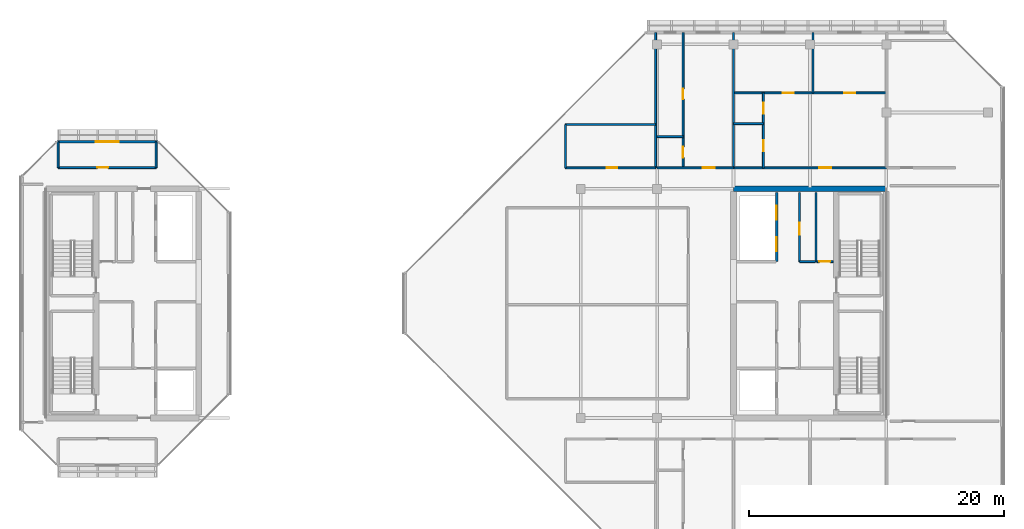
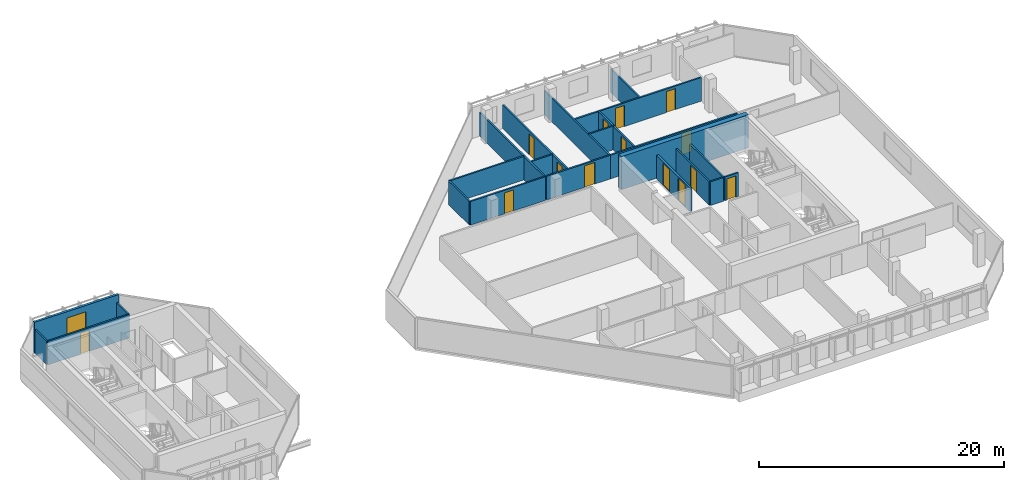
# One storey, part 23 of 28: 23 walls, 14 doors, 1 window, 15 openings.
"""IFC4 building model written with IfcOpenShell, lengths in metres."""

from ifc_helpers import new_model, si_unit, direction, frame, frame_2d, origin, place, context, subcontext, project, spatial, rectangle, extrude, material, layer, layer_set, type_object, element, fill, save


model = new_model("IFC4")

# Units and contexts
model_context = context("Model", 3, precision=1e-05, world=origin(), true_north=direction((0.0, 1.0)))
body_context = subcontext(model_context, "Body", "Model", "MODEL_VIEW")
ifc_project = project(units=[si_unit("LENGTHUNIT", "METRE"), si_unit("AREAUNIT", "SQUARE_METRE"), si_unit("VOLUMEUNIT", "CUBIC_METRE"), si_unit("PLANEANGLEUNIT", "RADIAN"), si_unit("MASSUNIT", "GRAM", prefix="KILO")], contexts=[model_context])

# Site, building, storey
site_placement = place(None, origin())
site = spatial("IfcSite", under=ifc_project, at=site_placement, CompositionType="ELEMENT")
building_placement = place(site_placement, origin())
building = spatial("IfcBuilding", under=site, at=building_placement, Name="Tanjung Sevakor Pilgrim Tower", CompositionType="ELEMENT")
storey_placement = place(building_placement, frame((0.0, 0.0, 239.25)))
storey = spatial("IfcBuildingStorey", under=building, at=storey_placement, Name="L67", CompositionType="ELEMENT", Elevation=239.25)

# Walls
ifc_material_1 = material(Name="Concrete C60/75", Category="concrete")
ifc_layer_1 = layer(ifc_material_1, 0.449951171875)
ifc_layer_set_1 = layer_set([ifc_layer_1], Name="WALL-CW-450")
wall_type_1 = type_object("IfcWallType", Name="WALL-CW-450", PredefinedType="SHEAR", material=ifc_layer_set_1)
wall_1_placement = place(storey_placement, frame((90.0, 42.60009765625, 0.0), z_axis=(0.0, 0.0, 1.0), x_axis=(-1.0, 0.0, 0.0)))
element("IfcWall", 1, at=wall_1_placement, inside=storey, type_object=wall_type_1, Name="L67 E Core North Shear Wall", PredefinedType="SHEAR", context=body_context, shape_type="SweptSolid", body=[
    extrude(rectangle(XDim=12.0, YDim=0.449951171875, at=frame_2d((6.0, 0.0))), origin(), (0.0, 0.0, 1.0), 3.300048828125),
])
ifc_material_2 = material(Name="Concrete C40/50", Category="concrete")
ifc_layer_2 = layer(ifc_material_2, 0.14990234375)
ifc_layer_set_2 = layer_set([ifc_layer_2], Name="WT-COMP-150")
wall_type_2 = type_object("IfcWallType", Name="WT-COMP-150", PredefinedType="SOLIDWALL", material=ifc_layer_set_2)
wall_2_placement = place(storey_placement, frame((84.47998046875, 36.8798828125, 0.0), z_axis=(0.0, 0.0, 1.0), x_axis=(0.0, 1.0, 0.0)))
element("IfcWall", 2, at=wall_2_placement, inside=storey, type_object=wall_type_2, Name="L67 Partition IW-L67-019", PredefinedType="SOLIDWALL", context=body_context, shape_type="SweptSolid", body=[
    extrude(rectangle(XDim=5.420166015625, YDim=0.14990234375, at=frame_2d((2.7099609375, 0.0))), origin(), (0.0, 0.0, 1.0), 2.35009765625),
])

# Wall, opening, door
wall_3_placement = place(storey_placement, frame((84.550048828125, 36.8798828125, 0.0), z_axis=(0.0, 0.0, 1.0), x_axis=(1.0, 0.0, 0.0)))
wall_3 = element("IfcWall", 3, at=wall_3_placement, inside=storey, type_object=wall_type_2, Name="L67 Partition IW-L67-020", PredefinedType="SOLIDWALL", context=body_context, shape_type="SweptSolid", body=[
    extrude(rectangle(XDim=1.280029296875, YDim=0.14990234375, at=frame_2d((0.64013671875, 0.0))), origin(), (0.0, 0.0, 1.0), 2.35009765625),
])
opening_1_placement = place(wall_3_placement, frame((0.179931640625, 0.0, 0.0)))
opening_1 = element("IfcOpeningElement", 4, at=opening_1_placement, cuts=wall_3, Name="Opening ID-FD3", PredefinedType="OPENING", context=body_context, shape_type="SweptSolid", body=[
    extrude(rectangle(XDim=0.85009765625, YDim=2.10009765625, at=frame_2d((0.425048828125, 1.050048828125))), frame((0.0, 0.0849609375, 0.0), z_axis=(0.0, -1.0, 0.0), x_axis=(1.0, 0.0, 0.0)), (0.0, 0.0, 1.0), 0.169921875),
])
ifc_material_3 = material(Name="Fire-Rated Timber", Category="wood")
door_type_1 = type_object("IfcDoorType", Name="DT-FIRE-850", OperationType="NOTDEFINED", PredefinedType="DOOR", material=ifc_material_3)
door_1_placement = place(opening_1_placement, origin())
door_1 = element("IfcDoor", 5, at=door_1_placement, inside=storey, type_object=door_type_1, Name="L67 Service Store Door", OperationType="SINGLE_SWING_LEFT", OverallHeight=2.10009765625, OverallWidth=0.85009765625, PredefinedType="DOOR", context=body_context, shape_type="SweptSolid", body=[
    extrude(rectangle(XDim=0.85009765625, YDim=2.10009765625, at=frame_2d((0.425048828125, 1.050048828125))), frame((0.0, 0.02490234375, 0.0), z_axis=(0.0, -1.0, 0.0), x_axis=(1.0, 0.0, 0.0)), (0.0, 0.0, 1.0), 0.050048828125),
])
fill(opening_1, door_1)

# Wall
wall_4_placement = place(storey_placement, frame((83.199951171875, 36.8798828125, 0.0), z_axis=(0.0, 0.0, 1.0), x_axis=(1.0, 0.0, 0.0)))
element("IfcWall", 6, at=wall_4_placement, inside=storey, type_object=wall_type_2, Name="L67 Partition IW-L67-021", PredefinedType="SOLIDWALL", context=body_context, shape_type="SweptSolid", body=[
    extrude(rectangle(XDim=1.219970703125, YDim=0.14990234375, at=frame_2d((0.60986328125, 0.0))), origin(), (0.0, 0.0, 1.0), 2.35009765625),
])

# Wall, opening, door
wall_5_placement = place(storey_placement, frame((83.179931640625, 36.8798828125, 0.0), z_axis=(0.0, 0.0, 1.0), x_axis=(0.0, 1.0, 0.0)))
wall_5 = element("IfcWall", 7, at=wall_5_placement, inside=storey, type_object=wall_type_2, Name="L67 Partition IW-L67-022", PredefinedType="SOLIDWALL", context=body_context, shape_type="SweptSolid", body=[
    extrude(rectangle(XDim=5.420166015625, YDim=0.14990234375, at=frame_2d((2.7099609375, 0.0))), origin(), (0.0, 0.0, 1.0), 2.35009765625),
])
opening_2_placement = place(wall_5_placement, frame((2.10009765625, 0.0, 0.0)))
opening_2 = element("IfcOpeningElement", 8, at=opening_2_placement, cuts=wall_5, Name="Opening ID-FD2", PredefinedType="OPENING", context=body_context, shape_type="SweptSolid", body=[
    extrude(rectangle(XDim=0.949951171875, YDim=2.14990234375, at=frame_2d((0.47509765625, 1.074951171875))), frame((0.0, 0.0849609375, 0.0), z_axis=(0.0, -1.0, 0.0), x_axis=(1.0, 0.0, 0.0)), (0.0, 0.0, 1.0), 0.169921875),
])
ifc_material_4 = material(Name="Fire-Rated Timber", Category="wood")
door_type_2 = type_object("IfcDoorType", Name="DT-FIRE-950", OperationType="NOTDEFINED", PredefinedType="DOOR", material=ifc_material_4)
door_2_placement = place(opening_2_placement, origin())
door_2 = element("IfcDoor", 9, at=door_2_placement, inside=storey, type_object=door_type_2, Name="L67 Core Reading Room Door", OperationType="SINGLE_SWING_RIGHT", OverallHeight=2.14990234375, OverallWidth=0.949951171875, PredefinedType="DOOR", context=body_context, shape_type="SweptSolid", body=[
    extrude(rectangle(XDim=0.949951171875, YDim=2.14990234375, at=frame_2d((0.47509765625, 1.074951171875))), frame((0.0, 0.02490234375, 0.0), z_axis=(0.0, -1.0, 0.0), x_axis=(1.0, 0.0, 0.0)), (0.0, 0.0, 1.0), 0.050048828125),
])
fill(opening_2, door_2)

wall_6_placement = place(storey_placement, frame((24.949951171875, 44.27001953125, 0.0), z_axis=(0.0, 0.0, 1.0), x_axis=(1.0, 0.0, 0.0)))
wall_6 = element("IfcWall", 10, at=wall_6_placement, inside=storey, type_object=wall_type_2, Name="L67 Partition IW-L67-030", PredefinedType="SOLIDWALL", context=body_context, shape_type="SweptSolid", body=[
    extrude(rectangle(XDim=7.699951171875, YDim=0.14990234375, at=frame_2d((3.85009765625, 0.0))), origin(), (0.0, 0.0, 1.0), 2.35009765625),
])
opening_3_placement = place(wall_6_placement, frame((3.074951171875, 0.0, 0.0)))
opening_3 = element("IfcOpeningElement", 11, at=opening_3_placement, cuts=wall_6, Name="Opening ID-WC1", PredefinedType="OPENING", context=body_context, shape_type="SweptSolid", body=[
    extrude(rectangle(XDim=0.85009765625, YDim=2.10009765625, at=frame_2d((0.425048828125, 1.050048828125))), frame((0.0, 0.0849609375, 0.0), z_axis=(0.0, -1.0, 0.0), x_axis=(1.0, 0.0, 0.0)), (0.0, 0.0, 1.0), 0.169921875),
])
ifc_material_5 = material(Name="Moisture-Resistant Timber", Category="wood")
door_type_3 = type_object("IfcDoorType", Name="DT-INT-850", OperationType="NOTDEFINED", PredefinedType="DOOR", material=ifc_material_5)
door_3_placement = place(opening_3_placement, origin())
door_3 = element("IfcDoor", 12, at=door_3_placement, inside=storey, type_object=door_type_3, Name="L67 West Peak North Observatory Door", OperationType="SINGLE_SWING_LEFT", OverallHeight=2.10009765625, OverallWidth=0.85009765625, PredefinedType="DOOR", context=body_context, shape_type="SweptSolid", body=[
    extrude(rectangle(XDim=0.85009765625, YDim=2.10009765625, at=frame_2d((0.425048828125, 1.050048828125))), frame((0.0, 0.02490234375, 0.0), z_axis=(0.0, -1.0, 0.0), x_axis=(1.0, 0.0, 0.0)), (0.0, 0.0, 1.0), 0.050048828125),
])
fill(opening_3, door_3)

# Walls
for number, where, z_axis, x_axis, name in (
    (13, (24.949951171875, 44.27001953125, 0.0), (0.0, 0.0, 1.0), (0.0, 1.0, 0.0), "L67 Partition IW-L67-031"),
    (14, (32.64990234375, 44.27001953125, 0.0), (0.0, 0.0, 1.0), (0.0, 1.0, 0.0), "L67 Partition IW-L67-032"),
):
    element("IfcWall", number, at=place(storey_placement, frame(where, z_axis=z_axis, x_axis=x_axis)), inside=storey, type_object=wall_type_2, Name=name, PredefinedType="SOLIDWALL", context=body_context, shape_type="SweptSolid", body=[
        extrude(rectangle(XDim=2.010009765625, YDim=0.14990234375, at=frame_2d((1.0048828125, 0.0))), origin(), (0.0, 0.0, 1.0), 2.35009765625),
    ])

# Wall, opening, door
wall_7_placement = place(storey_placement, frame((64.800048828125, 44.25, 0.0), z_axis=(0.0, 0.0, 1.0), x_axis=(1.0, 0.0, 0.0)))
wall_7 = element("IfcWall", 15, at=wall_7_placement, inside=storey, type_object=wall_type_2, Name="L67 Partition IW-L67-037", PredefinedType="SOLIDWALL", context=body_context, shape_type="SweptSolid", body=[
    extrude(rectangle(XDim=7.079833984375, YDim=0.14990234375, at=frame_2d((3.5400390625, 0.0))), origin(), (0.0, 0.0, 1.0), 2.35009765625),
])
opening_4_placement = place(wall_7_placement, frame((3.22509765625, 0.0, 0.0)))
opening_4 = element("IfcOpeningElement", 16, at=opening_4_placement, cuts=wall_7, Name="Opening ID-WC1", PredefinedType="OPENING", context=body_context, shape_type="SweptSolid", body=[
    extrude(rectangle(XDim=0.85009765625, YDim=2.10009765625, at=frame_2d((0.425048828125, 1.050048828125))), frame((0.0, 0.0849609375, 0.0), z_axis=(0.0, -1.0, 0.0), x_axis=(1.0, 0.0, 0.0)), (0.0, 0.0, 1.0), 0.169921875),
])
door_4_placement = place(opening_4_placement, origin())
door_4 = element("IfcDoor", 17, at=door_4_placement, inside=storey, type_object=door_type_3, Name="L67 NW Crown Library Door", OperationType="SINGLE_SWING_LEFT", OverallHeight=2.10009765625, OverallWidth=0.85009765625, PredefinedType="DOOR", context=body_context, shape_type="SweptSolid", body=[
    extrude(rectangle(XDim=0.85009765625, YDim=2.10009765625, at=frame_2d((0.425048828125, 1.050048828125))), frame((0.0, 0.02490234375, 0.0), z_axis=(0.0, -1.0, 0.0), x_axis=(1.0, 0.0, 0.0)), (0.0, 0.0, 1.0), 0.050048828125),
])
fill(opening_4, door_4)

# Walls
wall_8_placement = place(storey_placement, frame((64.800048828125, 47.64990234375, 0.0), z_axis=(0.0, 0.0, 1.0), x_axis=(1.0, 0.0, 0.0)))
element("IfcWall", 18, at=wall_8_placement, inside=storey, type_object=wall_type_2, Name="L67 Partition IW-L67-038", PredefinedType="SOLIDWALL", context=body_context, shape_type="SweptSolid", body=[
    extrude(rectangle(XDim=7.079833984375, YDim=0.14990234375, at=frame_2d((3.5400390625, 0.0))), origin(), (0.0, 0.0, 1.0), 2.35009765625),
])
wall_9_placement = place(storey_placement, frame((64.800048828125, 44.25, 0.0), z_axis=(0.0, 0.0, 1.0), x_axis=(0.0, 1.0, 0.0)))
element("IfcWall", 19, at=wall_9_placement, inside=storey, type_object=wall_type_2, Name="L67 Partition IW-L67-039", PredefinedType="SOLIDWALL", context=body_context, shape_type="SweptSolid", body=[
    extrude(rectangle(XDim=3.39990234375, YDim=0.14990234375, at=frame_2d((1.699951171875, 0.0))), origin(), (0.0, 0.0, 1.0), 2.35009765625),
])
for number, where, z_axis, x_axis, name in (
    (20, (71.8798828125, 44.25, 0.0), (0.0, 0.0, 1.0), (0.0, 1.0, 0.0), "L67 Partition IW-L67-040"),
    (21, (78.0, 44.25, 0.0), (0.0, 0.0, 1.0), (0.0, 1.0, 0.0), "L67 Partition IW-L67-056"),
):
    element("IfcWall", number, at=place(storey_placement, frame(where, z_axis=z_axis, x_axis=x_axis)), inside=storey, type_object=wall_type_2, Name=name, PredefinedType="SOLIDWALL", context=body_context, shape_type="SweptSolid", body=[
        extrude(rectangle(XDim=10.610107421875, YDim=0.14990234375, at=frame_2d((5.30517578125, 0.0))), origin(), (0.0, 0.0, 1.0), 2.35009765625),
    ])

# Wall, opening, door
wall_10_placement = place(storey_placement, frame((72.0, 44.25, 0.0), z_axis=(0.0, 0.0, 1.0), x_axis=(1.0, 0.0, 0.0)))
wall_10 = element("IfcWall", 22, at=wall_10_placement, inside=storey, type_object=wall_type_2, Name="L67 Partition IW-L67-059", PredefinedType="SOLIDWALL", context=body_context, shape_type="SweptSolid", body=[
    extrude(rectangle(XDim=6.0, YDim=0.14990234375, at=frame_2d((3.0, 0.0))), origin(), (0.0, 0.0, 1.0), 2.35009765625),
])
opening_5_placement = place(wall_10_placement, frame((3.5849609375, 0.0, 0.0)))
opening_5 = element("IfcOpeningElement", 23, at=opening_5_placement, cuts=wall_10, Name="Opening ID-FD2", PredefinedType="OPENING", context=body_context, shape_type="SweptSolid", body=[
    extrude(rectangle(XDim=0.949951171875, YDim=2.14990234375, at=frame_2d((0.47509765625, 1.074951171875))), frame((0.0, 0.0849609375, 0.0), z_axis=(0.0, -1.0, 0.0), x_axis=(1.0, 0.0, 0.0)), (0.0, 0.0, 1.0), 0.169921875),
])
door_5_placement = place(opening_5_placement, origin())
door_5 = element("IfcDoor", 24, at=door_5_placement, inside=storey, type_object=door_type_2, Name="Hostel Quad Entrance", OperationType="SINGLE_SWING_RIGHT", OverallHeight=2.14990234375, OverallWidth=0.949951171875, PredefinedType="DOOR", context=body_context, shape_type="SweptSolid", body=[
    extrude(rectangle(XDim=0.949951171875, YDim=2.14990234375, at=frame_2d((0.47509765625, 1.074951171875))), frame((0.0, 0.02490234375, 0.0), z_axis=(0.0, -1.0, 0.0), x_axis=(1.0, 0.0, 0.0)), (0.0, 0.0, 1.0), 0.050048828125),
])
fill(opening_5, door_5)

wall_11_placement = place(storey_placement, frame((78.0, 44.25, 0.0), z_axis=(0.0, 0.0, 1.0), x_axis=(1.0, 0.0, 0.0)))
wall_11 = element("IfcWall", 25, at=wall_11_placement, inside=storey, type_object=wall_type_2, Name="L67 Partition IW-L67-064", PredefinedType="SOLIDWALL", context=body_context, shape_type="SweptSolid", body=[
    extrude(rectangle(XDim=12.0, YDim=0.14990234375, at=frame_2d((6.0, 0.0))), origin(), (0.0, 0.0, 1.0), 2.35009765625),
])
opening_6_placement = place(wall_11_placement, frame((6.739990234375, 0.0, 0.0)))
opening_6 = element("IfcOpeningElement", 26, at=opening_6_placement, cuts=wall_11, Name="Opening ID-FD2", PredefinedType="OPENING", context=body_context, shape_type="SweptSolid", body=[
    extrude(rectangle(XDim=0.949951171875, YDim=2.14990234375, at=frame_2d((0.47509765625, 1.074951171875))), frame((0.0, 0.0849609375, 0.0), z_axis=(0.0, -1.0, 0.0), x_axis=(1.0, 0.0, 0.0)), (0.0, 0.0, 1.0), 0.169921875),
])
door_6_placement = place(opening_6_placement, origin())
door_6 = element("IfcDoor", 27, at=door_6_placement, inside=storey, type_object=door_type_2, Name="Suite Entrance", OperationType="SINGLE_SWING_LEFT", OverallHeight=2.14990234375, OverallWidth=0.949951171875, PredefinedType="DOOR", context=body_context, shape_type="SweptSolid", body=[
    extrude(rectangle(XDim=0.949951171875, YDim=2.14990234375, at=frame_2d((0.47509765625, 1.074951171875))), frame((0.0, 0.02490234375, 0.0), z_axis=(0.0, -1.0, 0.0), x_axis=(1.0, 0.0, 0.0)), (0.0, 0.0, 1.0), 0.050048828125),
])
fill(opening_6, door_6)

# Wall, opening, window
ifc_material_6 = material(Name="Precast concrete C45/55", Category="concrete")
ifc_layer_3 = layer(ifc_material_6, 0.219970703125)
ifc_layer_set_3 = layer_set([ifc_layer_3], Name="WT-EW-STN4")
wall_type_3 = type_object("IfcWallType", Name="WT-EW-STN4", PredefinedType="SOLIDWALL", material=ifc_layer_set_3)
wall_12_placement = place(storey_placement, frame((32.804443359375, 46.2900390625, 0.0), z_axis=(0.0, 0.0, 1.0), x_axis=(-1.0, 0.0, 0.0)))
wall_12 = element("IfcWall", 28, at=wall_12_placement, inside=storey, type_object=wall_type_3, Name="L67 WEST Exterior Wall 5", PredefinedType="SOLIDWALL", context=body_context, shape_type="SweptSolid", body=[
    extrude(rectangle(XDim=7.958740234375, YDim=0.219970703125, at=frame_2d((3.9794921875, 0.0))), origin(), (0.0, 0.0, 1.0), 3.080078125),
])
opening_7_placement = place(wall_12_placement, frame((3.1044921875, 0.0, 0.780029296875)))
opening_7 = element("IfcOpeningElement", 29, at=opening_7_placement, cuts=wall_12, Name="Opening WN-Z3-1660", PredefinedType="OPENING", context=body_context, shape_type="SweptSolid", body=[
    extrude(rectangle(XDim=1.800048828125, YDim=1.659912109375, at=frame_2d((0.89990234375, 0.830078125))), frame((0.0, 0.119873046875, 0.0), z_axis=(0.0, -1.0, 0.0), x_axis=(1.0, 0.0, 0.0)), (0.0, 0.0, 1.0), 0.239990234375),
])
ifc_material_7 = material(Name="Thermally Broken Aluminium and Low-E Glass", Category="aluminium")
window_type = type_object("IfcWindowType", Name="WTYP-WN-Z3-1660", PartitioningType="DOUBLE_PANEL_VERTICAL", PredefinedType="WINDOW", material=ifc_material_7)
window_placement = place(opening_7_placement, origin())
window = element("IfcWindow", 30, at=window_placement, inside=storey, type_object=window_type, Name="L67 Facade Window 01", OverallHeight=1.659912109375, OverallWidth=1.800048828125, PartitioningType="SINGLE_PANEL", PredefinedType="WINDOW", context=body_context, shape_type="SweptSolid", body=[
    extrude(rectangle(XDim=1.800048828125, YDim=1.659912109375, at=frame_2d((0.89990234375, 0.830078125))), frame((0.0, 0.030029296875, 0.0), z_axis=(0.0, -1.0, 0.0), x_axis=(1.0, 0.0, 0.0)), (0.0, 0.0, 1.0), 0.06005859375),
])
fill(opening_7, window)

# Wall, openings, doors
ifc_material_8 = material(Name="Concrete C40/50", Category="concrete")
ifc_layer_4 = layer(ifc_material_8, 0.199951171875)
ifc_layer_set_4 = layer_set([ifc_layer_4], Name="WT-FPRT-200")
wall_type_4 = type_object("IfcWallType", Name="WT-FPRT-200", PredefinedType="SOLIDWALL", material=ifc_layer_set_4)
wall_13_placement = place(storey_placement, frame((81.3798828125, 36.8798828125, 0.0), z_axis=(0.0, 0.0, 1.0), x_axis=(0.0, 1.0, 0.0)))
wall_13 = element("IfcWall", 31, at=wall_13_placement, inside=storey, type_object=wall_type_4, Name="L67 Partition IW-L67-024", PredefinedType="SOLIDWALL", context=body_context, shape_type="SweptSolid", body=[
    extrude(rectangle(XDim=5.420166015625, YDim=0.199951171875, at=frame_2d((2.7099609375, 0.0))), origin(), (0.0, 0.0, 1.0), 2.35009765625),
])
opening_8_placement = place(wall_13_placement, frame((0.800048828125, 0.0, 0.0)))
opening_8 = element("IfcOpeningElement", 32, at=opening_8_placement, cuts=wall_13, Name="Opening LD-1100", PredefinedType="OPENING", context=body_context, shape_type="SweptSolid", body=[
    extrude(rectangle(XDim=1.10009765625, YDim=2.199951171875, at=frame_2d((0.550048828125, 1.10009765625))), frame((0.0, 0.10986328125, 0.0), z_axis=(0.0, -1.0, 0.0), x_axis=(1.0, 0.0, 0.0)), (0.0, 0.0, 1.0), 0.219970703125),
])
opening_9_placement = place(wall_13_placement, frame((3.300048828125, 0.0, 0.0)))
opening_9 = element("IfcOpeningElement", 33, at=opening_9_placement, cuts=wall_13, Name="Opening LD-1100", PredefinedType="OPENING", context=body_context, shape_type="SweptSolid", body=[
    extrude(rectangle(XDim=1.10009765625, YDim=2.199951171875, at=frame_2d((0.550048828125, 1.10009765625))), frame((0.0, 0.10986328125, 0.0), z_axis=(0.0, -1.0, 0.0), x_axis=(1.0, 0.0, 0.0)), (0.0, 0.0, 1.0), 0.219970703125),
])
ifc_material_9 = material(Name="Brushed Stainless Steel S355J2", Category="steel")
door_type_4 = type_object("IfcDoorType", Name="DT-LIFT-1100", OperationType="SLIDING_TO_LEFT", PredefinedType="DOOR", material=ifc_material_9)
door_7_placement = place(opening_8_placement, origin())
door_7 = element("IfcDoor", 34, at=door_7_placement, inside=storey, type_object=door_type_4, Name="LD-PLH1-E", OperationType="SLIDING_TO_LEFT", OverallHeight=2.199951171875, OverallWidth=1.10009765625, PredefinedType="DOOR", context=body_context, shape_type="SweptSolid", body=[
    extrude(rectangle(XDim=1.10009765625, YDim=2.199951171875, at=frame_2d((0.550048828125, 1.10009765625))), frame((0.0, 0.02490234375, 0.0), z_axis=(0.0, -1.0, 0.0), x_axis=(1.0, 0.0, 0.0)), (0.0, 0.0, 1.0), 0.050048828125),
])
fill(opening_8, door_7)
door_8_placement = place(opening_9_placement, origin())
door_8 = element("IfcDoor", 35, at=door_8_placement, inside=storey, type_object=door_type_4, Name="LD-PLH2-E", OperationType="SLIDING_TO_RIGHT", OverallHeight=2.199951171875, OverallWidth=1.10009765625, PredefinedType="DOOR", context=body_context, shape_type="SweptSolid", body=[
    extrude(rectangle(XDim=1.10009765625, YDim=2.199951171875, at=frame_2d((0.550048828125, 1.10009765625))), frame((0.0, 0.02490234375, 0.0), z_axis=(0.0, -1.0, 0.0), x_axis=(1.0, 0.0, 0.0)), (0.0, 0.0, 1.0), 0.050048828125),
])
fill(opening_9, door_8)

# Wall
ifc_material_10 = material(Name="Gypsum Board Partition", Category="gypsum board")
ifc_layer_5 = layer(ifc_material_10, 0.14990234375)
ifc_layer_set_5 = layer_set([ifc_layer_5], Name="WT-PART-150")
wall_type_5 = type_object("IfcWallType", Name="WT-PART-150", PredefinedType="PARTITIONING", material=ifc_layer_set_5)
wall_14_placement = place(storey_placement, frame((72.0, 46.699951171875, 0.0), z_axis=(0.0, 0.0, 1.0), x_axis=(1.0, 0.0, 0.0)))
element("IfcWall", 36, at=wall_14_placement, inside=storey, type_object=wall_type_5, Name="L67 Partition IW-L67-057", PredefinedType="PARTITIONING", context=body_context, shape_type="SweptSolid", body=[
    extrude(rectangle(XDim=2.0400390625, YDim=0.14990234375, at=frame_2d((1.02001953125, 0.0))), origin(), (0.0, 0.0, 1.0), 2.35009765625),
])

# Wall, openings, doors
wall_15_placement = place(storey_placement, frame((74.0400390625, 44.25, 0.0), z_axis=(0.0, 0.0, 1.0), x_axis=(0.0, 1.0, 0.0)))
wall_15 = element("IfcWall", 37, at=wall_15_placement, inside=storey, type_object=wall_type_5, Name="L67 Partition IW-L67-058", PredefinedType="PARTITIONING", context=body_context, shape_type="SweptSolid", body=[
    extrude(rectangle(XDim=10.610107421875, YDim=0.14990234375, at=frame_2d((5.30517578125, 0.0))), origin(), (0.0, 0.0, 1.0), 2.35009765625),
])
opening_10_placement = place(wall_15_placement, frame((0.800048828125, 0.0, 0.0)))
opening_10 = element("IfcOpeningElement", 38, at=opening_10_placement, cuts=wall_15, Name="Opening ID-WC1", PredefinedType="OPENING", context=body_context, shape_type="SweptSolid", body=[
    extrude(rectangle(XDim=0.85009765625, YDim=2.10009765625, at=frame_2d((0.425048828125, 1.050048828125))), frame((0.0, 0.0849609375, 0.0), z_axis=(0.0, -1.0, 0.0), x_axis=(1.0, 0.0, 0.0)), (0.0, 0.0, 1.0), 0.169921875),
])
opening_11_placement = place(wall_15_placement, frame((5.3740234375, 0.0, 0.0)))
opening_11 = element("IfcOpeningElement", 39, at=opening_11_placement, cuts=wall_15, Name="Opening ID-WC1", PredefinedType="OPENING", context=body_context, shape_type="SweptSolid", body=[
    extrude(rectangle(XDim=0.85009765625, YDim=2.10009765625, at=frame_2d((0.425048828125, 1.050048828125))), frame((0.0, 0.0849609375, 0.0), z_axis=(0.0, -1.0, 0.0), x_axis=(1.0, 0.0, 0.0)), (0.0, 0.0, 1.0), 0.169921875),
])
door_9_placement = place(opening_10_placement, origin())
door_9 = element("IfcDoor", 40, at=door_9_placement, inside=storey, type_object=door_type_3, Name="Bathroom Door", OperationType="SINGLE_SWING_RIGHT", OverallHeight=2.10009765625, OverallWidth=0.85009765625, PredefinedType="DOOR", context=body_context, shape_type="SweptSolid", body=[
    extrude(rectangle(XDim=0.85009765625, YDim=2.10009765625, at=frame_2d((0.425048828125, 1.050048828125))), frame((0.0, 0.02490234375, 0.0), z_axis=(0.0, -1.0, 0.0), x_axis=(1.0, 0.0, 0.0)), (0.0, 0.0, 1.0), 0.050048828125),
])
fill(opening_10, door_9)
door_10_placement = place(opening_11_placement, origin())
door_10 = element("IfcDoor", 41, at=door_10_placement, inside=storey, type_object=door_type_3, Name="Study Nook Door", OperationType="SINGLE_SWING_LEFT", OverallHeight=2.10009765625, OverallWidth=0.85009765625, PredefinedType="DOOR", context=body_context, shape_type="SweptSolid", body=[
    extrude(rectangle(XDim=0.85009765625, YDim=2.10009765625, at=frame_2d((0.425048828125, 1.050048828125))), frame((0.0, 0.02490234375, 0.0), z_axis=(0.0, -1.0, 0.0), x_axis=(1.0, 0.0, 0.0)), (0.0, 0.0, 1.0), 0.050048828125),
])
fill(opening_11, door_10)

# Wall
wall_16_placement = place(storey_placement, frame((78.0, 47.720703125, 0.0), z_axis=(0.0, 0.0, 1.0), x_axis=(1.0, 0.0, 0.0)))
element("IfcWall", 42, at=wall_16_placement, inside=storey, type_object=wall_type_5, Name="L67 Partition IW-L67-060", PredefinedType="PARTITIONING", context=body_context, shape_type="SweptSolid", body=[
    extrude(rectangle(XDim=2.35009765625, YDim=0.14990234375, at=frame_2d((1.175048828125, 0.0))), origin(), (0.0, 0.0, 1.0), 2.35009765625),
])

# Wall, openings, doors
wall_17_placement = place(storey_placement, frame((80.35009765625, 44.25, 0.0), z_axis=(0.0, 0.0, 1.0), x_axis=(0.0, 1.0, 0.0)))
wall_17 = element("IfcWall", 43, at=wall_17_placement, inside=storey, type_object=wall_type_5, Name="L67 Partition IW-L67-061", PredefinedType="PARTITIONING", context=body_context, shape_type="SweptSolid", body=[
    extrude(rectangle(XDim=5.88232421875, YDim=0.14990234375, at=frame_2d((2.941162109375, 0.0))), origin(), (0.0, 0.0, 1.0), 2.35009765625),
])
opening_12_placement = place(wall_17_placement, frame((1.310302734375, 0.0, 0.0)))
opening_12 = element("IfcOpeningElement", 44, at=opening_12_placement, cuts=wall_17, Name="Opening ID-WC1", PredefinedType="OPENING", context=body_context, shape_type="SweptSolid", body=[
    extrude(rectangle(XDim=0.85009765625, YDim=2.10009765625, at=frame_2d((0.425048828125, 1.050048828125))), frame((0.0, 0.0849609375, 0.0), z_axis=(0.0, -1.0, 0.0), x_axis=(1.0, 0.0, 0.0)), (0.0, 0.0, 1.0), 0.169921875),
])
opening_13_placement = place(wall_17_placement, frame((4.25146484375, 0.0, 0.0)))
opening_13 = element("IfcOpeningElement", 45, at=opening_13_placement, cuts=wall_17, Name="Opening ID-WC1", PredefinedType="OPENING", context=body_context, shape_type="SweptSolid", body=[
    extrude(rectangle(XDim=0.85009765625, YDim=2.10009765625, at=frame_2d((0.425048828125, 1.050048828125))), frame((0.0, 0.0849609375, 0.0), z_axis=(0.0, -1.0, 0.0), x_axis=(1.0, 0.0, 0.0)), (0.0, 0.0, 1.0), 0.169921875),
])
door_11_placement = place(opening_12_placement, origin())
door_11 = element("IfcDoor", 46, at=door_11_placement, inside=storey, type_object=door_type_3, Name="Suite Kitchenette Door", OperationType="SINGLE_SWING_LEFT", OverallHeight=2.10009765625, OverallWidth=0.85009765625, PredefinedType="DOOR", context=body_context, shape_type="SweptSolid", body=[
    extrude(rectangle(XDim=0.85009765625, YDim=2.10009765625, at=frame_2d((0.425048828125, 1.050048828125))), frame((0.0, 0.02490234375, 0.0), z_axis=(0.0, -1.0, 0.0), x_axis=(1.0, 0.0, 0.0)), (0.0, 0.0, 1.0), 0.050048828125),
])
fill(opening_12, door_11)
door_12_placement = place(opening_13_placement, origin())
door_12 = element("IfcDoor", 47, at=door_12_placement, inside=storey, type_object=door_type_3, Name="Suite Bathroom Door", OperationType="SINGLE_SWING_RIGHT", OverallHeight=2.10009765625, OverallWidth=0.85009765625, PredefinedType="DOOR", context=body_context, shape_type="SweptSolid", body=[
    extrude(rectangle(XDim=0.85009765625, YDim=2.10009765625, at=frame_2d((0.425048828125, 1.050048828125))), frame((0.0, 0.02490234375, 0.0), z_axis=(0.0, -1.0, 0.0), x_axis=(1.0, 0.0, 0.0)), (0.0, 0.0, 1.0), 0.050048828125),
])
fill(opening_13, door_12)

# Wall
wall_18_placement = place(storey_placement, frame((84.239990234375, 50.13232421875, 0.0), z_axis=(0.0, 0.0, 1.0), x_axis=(0.0, 1.0, 0.0)))
element("IfcWall", 48, at=wall_18_placement, inside=storey, type_object=wall_type_5, Name="L67 Partition IW-L67-062", PredefinedType="PARTITIONING", context=body_context, shape_type="SweptSolid", body=[
    extrude(rectangle(XDim=4.727783203125, YDim=0.14990234375, at=frame_2d((2.36376953125, 0.0))), origin(), (0.0, 0.0, 1.0), 2.35009765625),
])

# Wall, openings, doors
wall_19_placement = place(storey_placement, frame((78.0, 50.13232421875, 0.0), z_axis=(0.0, 0.0, 1.0), x_axis=(1.0, 0.0, 0.0)))
wall_19 = element("IfcWall", 49, at=wall_19_placement, inside=storey, type_object=wall_type_5, Name="L67 Partition IW-L67-063", PredefinedType="PARTITIONING", context=body_context, shape_type="SweptSolid", body=[
    extrude(rectangle(XDim=12.0, YDim=0.14990234375, at=frame_2d((6.0, 0.0))), origin(), (0.0, 0.0, 1.0), 2.35009765625),
])
opening_14_placement = place(wall_19_placement, frame((3.8701171875, 0.0, 0.0)))
opening_14 = element("IfcOpeningElement", 50, at=opening_14_placement, cuts=wall_19, Name="Opening ID-WC1", PredefinedType="OPENING", context=body_context, shape_type="SweptSolid", body=[
    extrude(rectangle(XDim=0.85009765625, YDim=2.10009765625, at=frame_2d((0.425048828125, 1.050048828125))), frame((0.0, 0.0849609375, 0.0), z_axis=(0.0, -1.0, 0.0), x_axis=(1.0, 0.0, 0.0)), (0.0, 0.0, 1.0), 0.169921875),
])
opening_15_placement = place(wall_19_placement, frame((8.695068359375, 0.0, 0.0)))
opening_15 = element("IfcOpeningElement", 51, at=opening_15_placement, cuts=wall_19, Name="Opening ID-WC1", PredefinedType="OPENING", context=body_context, shape_type="SweptSolid", body=[
    extrude(rectangle(XDim=0.85009765625, YDim=2.10009765625, at=frame_2d((0.425048828125, 1.050048828125))), frame((0.0, 0.0849609375, 0.0), z_axis=(0.0, -1.0, 0.0), x_axis=(1.0, 0.0, 0.0)), (0.0, 0.0, 1.0), 0.169921875),
])
door_13_placement = place(opening_14_placement, origin())
door_13 = element("IfcDoor", 52, at=door_13_placement, inside=storey, type_object=door_type_3, Name="Suite Bedroom 1 Door", OperationType="SINGLE_SWING_LEFT", OverallHeight=2.10009765625, OverallWidth=0.85009765625, PredefinedType="DOOR", context=body_context, shape_type="SweptSolid", body=[
    extrude(rectangle(XDim=0.85009765625, YDim=2.10009765625, at=frame_2d((0.425048828125, 1.050048828125))), frame((0.0, 0.02490234375, 0.0), z_axis=(0.0, -1.0, 0.0), x_axis=(1.0, 0.0, 0.0)), (0.0, 0.0, 1.0), 0.050048828125),
])
fill(opening_14, door_13)
door_14_placement = place(opening_15_placement, origin())
door_14 = element("IfcDoor", 53, at=door_14_placement, inside=storey, type_object=door_type_3, Name="Suite Bedroom 2 Door", OperationType="SINGLE_SWING_RIGHT", OverallHeight=2.10009765625, OverallWidth=0.85009765625, PredefinedType="DOOR", context=body_context, shape_type="SweptSolid", body=[
    extrude(rectangle(XDim=0.85009765625, YDim=2.10009765625, at=frame_2d((0.425048828125, 1.050048828125))), frame((0.0, 0.02490234375, 0.0), z_axis=(0.0, -1.0, 0.0), x_axis=(1.0, 0.0, 0.0)), (0.0, 0.0, 1.0), 0.050048828125),
])
fill(opening_15, door_14)

save(model, "model.ifc")
